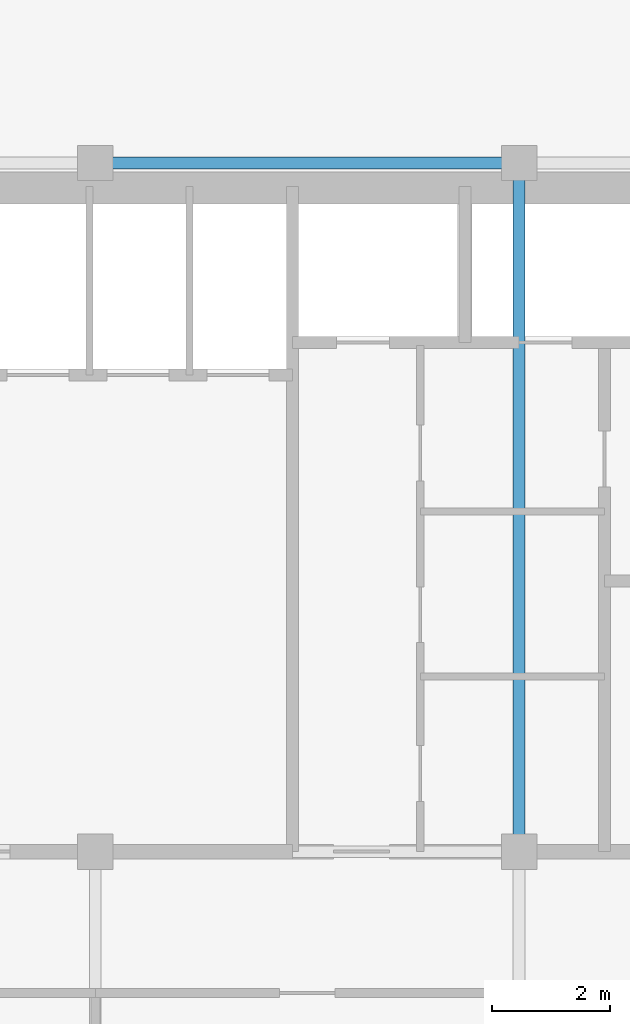
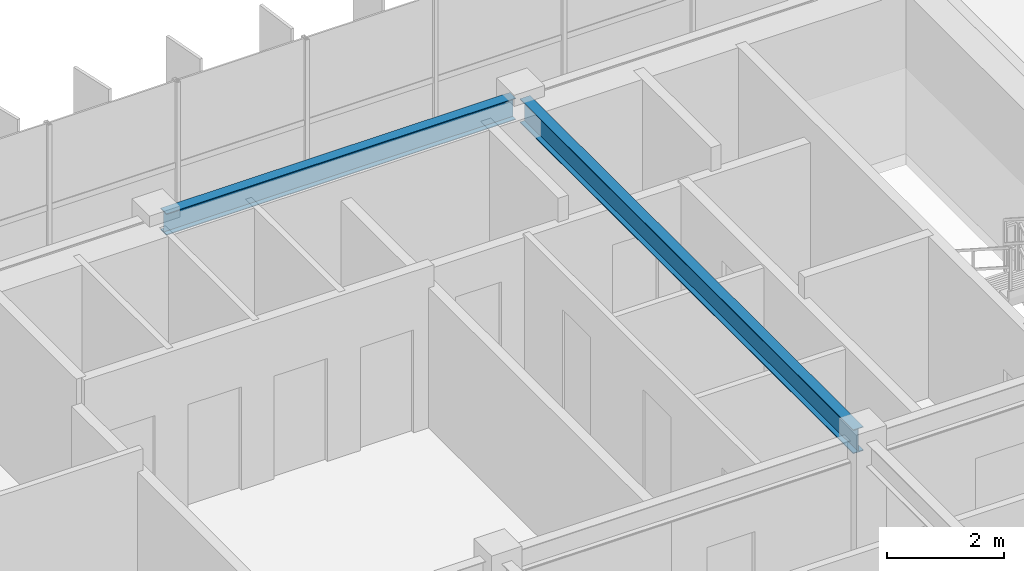
# One storey, part 10 of 21: 2 beams.
"""IFC4 building model written with IfcOpenShell, lengths in metres."""

from ifc_helpers import new_model, si_unit, direction, frame, origin, origin_2d, place, context, subcontext, project, spatial, i_section, extrude, source, transform, mapped, material, material_profile, profile_set, type_object, element, save


model = new_model("IFC4")

# Units and contexts
model_context = context("Model", 3, precision=1e-05, world=origin(), true_north=direction((0.0, 1.0)))
body_context = subcontext(model_context, "Body", "Model", "MODEL_VIEW")
ifc_project = project(units=[si_unit("LENGTHUNIT", "METRE"), si_unit("AREAUNIT", "SQUARE_METRE"), si_unit("VOLUMEUNIT", "CUBIC_METRE"), si_unit("PLANEANGLEUNIT", "RADIAN"), si_unit("MASSUNIT", "GRAM", prefix="KILO")], contexts=[model_context])

# Site, building, storey
site_placement = place(None, origin())
site = spatial("IfcSite", under=ifc_project, at=site_placement, CompositionType="ELEMENT")
building_placement = place(site_placement, origin())
building = spatial("IfcBuilding", under=site, at=building_placement, Name="Trelvane Seafront Commons", CompositionType="ELEMENT")
storey_placement = place(building_placement, frame((0.0, 0.0, 255.89990234375)))
storey = spatial("IfcBuildingStorey", under=building, at=storey_placement, Name="L66", CompositionType="ELEMENT", Elevation=255.89990234375)

# Beams
ifc_material = material(Name="Steel SM355 (S355)", Category="steel")
ifc_material_profile_1 = material_profile(ifc_material, i_section(OverallWidth=0.199951171875, OverallDepth=0.5, WebThickness=0.010009765625, FlangeThickness=0.01611328125, at=origin_2d()), Name="H-500x200x10x16")
ifc_profile_set_1 = profile_set([ifc_material_profile_1], Name="Steel SM355 (S355)")
beam_type_1 = type_object("IfcBeamType", Name="STR-BM-H500", PredefinedType="BEAM", material=ifc_profile_set_1)
shared_shape_1 = source(origin(), body_context, "Body", "SweptSolid", [
    extrude(i_section(OverallWidth=0.199951171875, OverallDepth=0.5, WebThickness=0.010009765625, FlangeThickness=0.01611328125, at=origin_2d()), origin(), (0.0, 0.0, 1.0), 11.39990234375),
])
beam_1_placement = place(storey_placement, frame((51.0, 33.550048828125, 3.1201171875), z_axis=(0.0, 1.0, 0.0), x_axis=(-1.0, 0.0, 0.0)))
element("IfcBeam", 1, at=beam_1_placement, inside=storey, type_object=beam_type_1, Name="L66 Primary Girder G-46", PredefinedType="BEAM", context=body_context, shape_type="MappedRepresentation", body=[
    mapped(shared_shape_1, transform((0.0, 0.0, 0.0), x_axis=(1.0, 0.0, 0.0), y_axis=(0.0, 1.0, 0.0), z_axis=(0.0, 0.0, 1.0), scale=1.0)),
])
ifc_material_profile_2 = material_profile(ifc_material, i_section(OverallWidth=0.199951171875, OverallDepth=0.449951171875, WebThickness=0.009033203125, FlangeThickness=0.013916015625, at=origin_2d()), Name="H-450x200x9x14")
ifc_profile_set_2 = profile_set([ifc_material_profile_2], Name="Steel SM355 (S355)")
beam_type_2 = type_object("IfcBeamType", Name="STR-SPD-H450", PredefinedType="SPANDREL", material=ifc_profile_set_2)
shared_shape_2 = source(origin(), body_context, "Body", "SweptSolid", [
    extrude(i_section(OverallWidth=0.199951171875, OverallDepth=0.449951171875, WebThickness=0.009033203125, FlangeThickness=0.013916015625, at=origin_2d()), origin(), (0.0, 0.0, 1.0), 6.900146484375),
])
beam_2_placement = place(storey_placement, frame((43.949951171875, 45.10009765625, 3.14501953125), z_axis=(1.0, 0.0, 0.0), x_axis=(0.0, 1.0, 0.0)))
element("IfcBeam", 2, at=beam_2_placement, inside=storey, type_object=beam_type_2, Name="L66 Primary Girder G-26", PredefinedType="SPANDREL", context=body_context, shape_type="MappedRepresentation", body=[
    mapped(shared_shape_2, transform((0.0, 0.0, 0.0), x_axis=(1.0, 0.0, 0.0), y_axis=(0.0, 1.0, 0.0), z_axis=(0.0, 0.0, 1.0), scale=1.0)),
])

save(model, "model.ifc")
